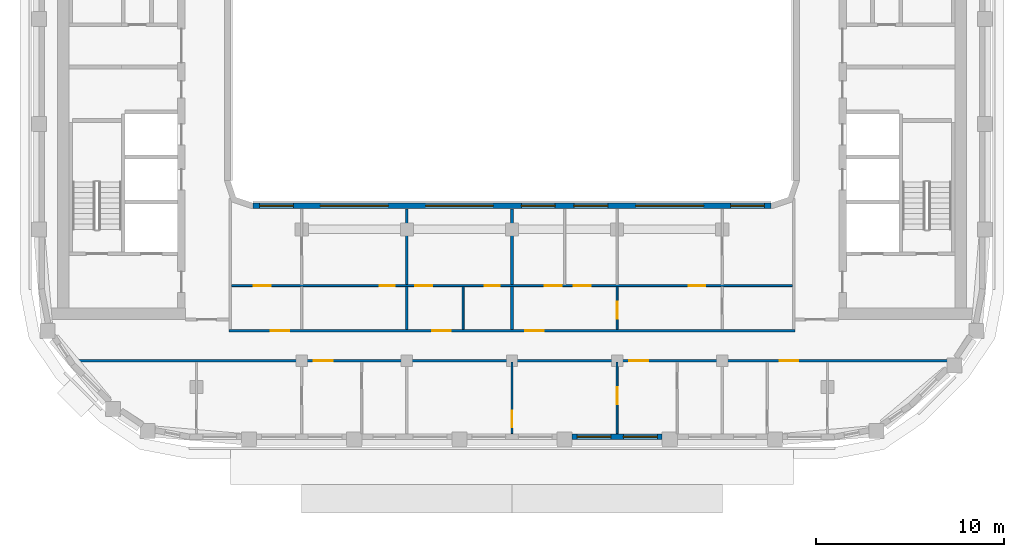
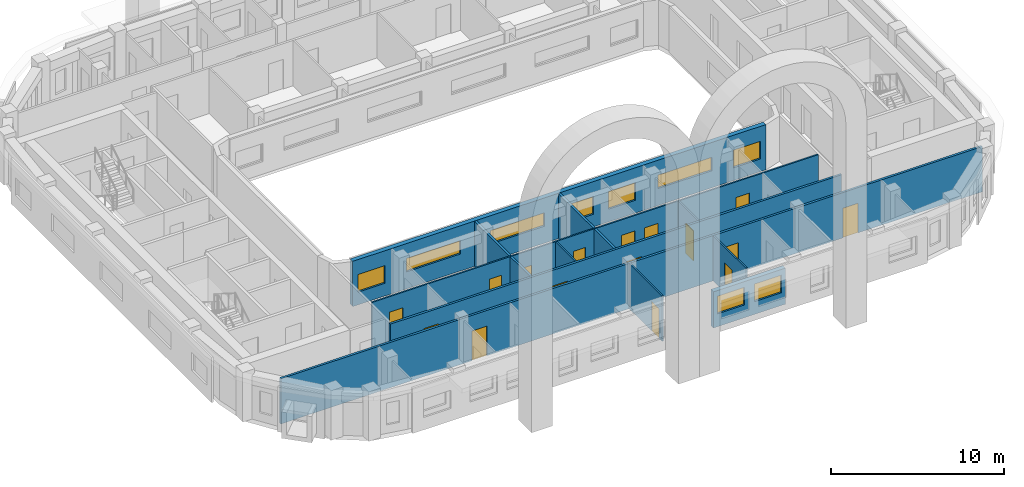
# One storey, part 3 of 18: 16 doors, 13 walls, 9 windows, 25 openings.
"""IFC4 building model written with IfcOpenShell, lengths in metres."""

from ifc_helpers import new_model, si_unit, direction, frame, frame_2d, origin, place, context, subcontext, project, spatial, rectangle, extrude, material, layer, layer_set, type_object, element, fill, save


model = new_model("IFC4")

# Units and contexts
model_context = context("Model", 3, precision=1e-05, world=origin(), true_north=direction((0.0, 1.0)))
body_context = subcontext(model_context, "Body", "Model", "MODEL_VIEW")
ifc_project = project(units=[si_unit("LENGTHUNIT", "METRE"), si_unit("AREAUNIT", "SQUARE_METRE"), si_unit("VOLUMEUNIT", "CUBIC_METRE"), si_unit("PLANEANGLEUNIT", "RADIAN"), si_unit("MASSUNIT", "GRAM", prefix="KILO")], contexts=[model_context])

# Site, building, storey
site_placement = place(None, origin())
site = spatial("IfcSite", under=ifc_project, at=site_placement, CompositionType="ELEMENT")
building_placement = place(site_placement, origin())
building = spatial("IfcBuilding", under=site, at=building_placement, Name="Kiln Ring Residences", CompositionType="ELEMENT")
storey_placement = place(building_placement, frame((0.0, 0.0, 262.699951171875)))
storey = spatial("IfcBuildingStorey", under=building, at=storey_placement, Name="L68", CompositionType="ELEMENT", Elevation=262.699951171875)

# Wall, openings, windows
ifc_material_1 = material(Name="Brick masonry, dark clay brick", Category="masonry")
ifc_layer_1 = layer(ifc_material_1, 0.300048828125)
ifc_layer_set_1 = layer_set([ifc_layer_1], Name="EW-300 BRICK WALL")
wall_type_1 = type_object("IfcWallType", Name="EW-300 BRICK WALL", PredefinedType="SOLIDWALL", material=ifc_layer_set_1)
wall_1_placement = place(storey_placement, frame((3.199951171875, -19.449951171875, 0.0), z_axis=(0.0, 0.0, 1.0), x_axis=(1.0, 0.0, 0.0)))
wall_1 = element("IfcWall", 1, at=wall_1_placement, inside=storey, type_object=wall_type_1, Name="Facade wall L68 8", PredefinedType="SOLIDWALL", context=body_context, shape_type="SweptSolid", body=[
    extrude(rectangle(XDim=4.800048828125, YDim=0.300048828125, at=frame_2d((2.39990234375, 0.0))), origin(), (0.0, 0.0, 1.0), 2.550048828125),
])
opening_1_placement = place(wall_1_placement, frame((0.262451171875, 0.0, 0.89990234375)))
opening_1 = element("IfcOpeningElement", 2, at=opening_1_placement, cuts=wall_1, Name="Opening W2", PredefinedType="OPENING", context=body_context, shape_type="SweptSolid", body=[
    extrude(rectangle(XDim=1.800048828125, YDim=1.25, at=frame_2d((0.89990234375, 0.625))), frame((0.0, 0.159912109375, 0.0), z_axis=(0.0, -1.0, 0.0), x_axis=(1.0, 0.0, 0.0)), (0.0, 0.0, 1.0), 0.320068359375),
])
opening_2_placement = place(wall_1_placement, frame((2.737548828125, 0.0, 0.89990234375)))
opening_2 = element("IfcOpeningElement", 3, at=opening_2_placement, cuts=wall_1, Name="Opening W2", PredefinedType="OPENING", context=body_context, shape_type="SweptSolid", body=[
    extrude(rectangle(XDim=1.800048828125, YDim=1.25, at=frame_2d((0.89990234375, 0.625))), frame((0.0, 0.159912109375, 0.0), z_axis=(0.0, -1.0, 0.0), x_axis=(1.0, 0.0, 0.0)), (0.0, 0.0, 1.0), 0.320068359375),
])
ifc_material_2 = material(Name="Aluminium frame with double glazing", Category="aluminium")
window_type_1 = type_object("IfcWindowType", Name="WINDOW 1800 x 1250", PartitioningType="SINGLE_PANEL", PredefinedType="WINDOW", material=ifc_material_2)
window_1_placement = place(opening_1_placement, origin())
window_1 = element("IfcWindow", 4, at=window_1_placement, inside=storey, type_object=window_type_1, Name="Window L68 10", OverallHeight=1.25, OverallWidth=1.800048828125, PartitioningType="SINGLE_PANEL", PredefinedType="WINDOW", context=body_context, shape_type="SweptSolid", body=[
    extrude(rectangle(XDim=1.800048828125, YDim=1.25, at=frame_2d((0.89990234375, 0.625))), frame((0.0, 0.030029296875, 0.0), z_axis=(0.0, -1.0, 0.0), x_axis=(1.0, 0.0, 0.0)), (0.0, 0.0, 1.0), 0.06005859375),
])
fill(opening_1, window_1)
window_2_placement = place(opening_2_placement, origin())
window_2 = element("IfcWindow", 5, at=window_2_placement, inside=storey, type_object=window_type_1, Name="Window L68 11", OverallHeight=1.25, OverallWidth=1.800048828125, PartitioningType="SINGLE_PANEL", PredefinedType="WINDOW", context=body_context, shape_type="SweptSolid", body=[
    extrude(rectangle(XDim=1.800048828125, YDim=1.25, at=frame_2d((0.89990234375, 0.625))), frame((0.0, 0.030029296875, 0.0), z_axis=(0.0, -1.0, 0.0), x_axis=(1.0, 0.0, 0.0)), (0.0, 0.0, 1.0), 0.06005859375),
])
fill(opening_2, window_2)

wall_2_placement = place(storey_placement, frame((13.800048828125, -7.14990234375, 0.0), z_axis=(0.0, 0.0, 1.0), x_axis=(-1.0, 0.0, 0.0)))
wall_2 = element("IfcWall", 6, at=wall_2_placement, inside=storey, type_object=wall_type_1, Name="Facade wall L68 48", PredefinedType="SOLIDWALL", context=body_context, shape_type="SweptSolid", body=[
    extrude(rectangle(XDim=27.60009765625, YDim=0.300048828125, at=frame_2d((13.800048828125, 0.0))), origin(), (0.0, 0.0, 1.0), 3.199951171875),
])
opening_3_placement = place(wall_2_placement, frame((0.362548828125, 0.0, 0.89990234375)))
opening_3 = element("IfcOpeningElement", 7, at=opening_3_placement, cuts=wall_2, Name="Opening W2", PredefinedType="OPENING", context=body_context, shape_type="SweptSolid", body=[
    extrude(rectangle(XDim=1.800048828125, YDim=1.25, at=frame_2d((0.89990234375, 0.625))), frame((0.0, 0.159912109375, 0.0), z_axis=(0.0, -1.0, 0.0), x_axis=(1.0, 0.0, 0.0)), (0.0, 0.0, 1.0), 0.320068359375),
])
opening_4_placement = place(wall_2_placement, frame((3.60009765625, 0.0, 1.199951171875)))
opening_4 = element("IfcOpeningElement", 8, at=opening_4_placement, cuts=wall_2, Name="Opening W4", PredefinedType="OPENING", context=body_context, shape_type="SweptSolid", body=[
    extrude(rectangle(XDim=3.60009765625, YDim=0.949951171875, at=frame_2d((1.800048828125, 0.47509765625))), frame((0.0, 0.159912109375, 0.0), z_axis=(0.0, -1.0, 0.0), x_axis=(1.0, 0.0, 0.0)), (0.0, 0.0, 1.0), 0.320068359375),
])
opening_5_placement = place(wall_2_placement, frame((8.699951171875, 0.0, 0.89990234375)))
opening_5 = element("IfcOpeningElement", 9, at=opening_5_placement, cuts=wall_2, Name="Opening W2", PredefinedType="OPENING", context=body_context, shape_type="SweptSolid", body=[
    extrude(rectangle(XDim=1.800048828125, YDim=1.25, at=frame_2d((0.89990234375, 0.625))), frame((0.0, 0.159912109375, 0.0), z_axis=(0.0, -1.0, 0.0), x_axis=(1.0, 0.0, 0.0)), (0.0, 0.0, 1.0), 0.320068359375),
])
opening_6_placement = place(wall_2_placement, frame((11.5, 0.0, 0.89990234375)))
opening_6 = element("IfcOpeningElement", 10, at=opening_6_placement, cuts=wall_2, Name="Opening W2", PredefinedType="OPENING", context=body_context, shape_type="SweptSolid", body=[
    extrude(rectangle(XDim=1.800048828125, YDim=1.25, at=frame_2d((0.89990234375, 0.625))), frame((0.0, 0.159912109375, 0.0), z_axis=(0.0, -1.0, 0.0), x_axis=(1.0, 0.0, 0.0)), (0.0, 0.0, 1.0), 0.320068359375),
])
opening_7_placement = place(wall_2_placement, frame((14.800048828125, 0.0, 1.199951171875)))
opening_7 = element("IfcOpeningElement", 11, at=opening_7_placement, cuts=wall_2, Name="Opening W4", PredefinedType="OPENING", context=body_context, shape_type="SweptSolid", body=[
    extrude(rectangle(XDim=3.60009765625, YDim=0.949951171875, at=frame_2d((1.800048828125, 0.47509765625))), frame((0.0, 0.159912109375, 0.0), z_axis=(0.0, -1.0, 0.0), x_axis=(1.0, 0.0, 0.0)), (0.0, 0.0, 1.0), 0.320068359375),
])
opening_8_placement = place(wall_2_placement, frame((20.39990234375, 0.0, 1.199951171875)))
opening_8 = element("IfcOpeningElement", 12, at=opening_8_placement, cuts=wall_2, Name="Opening W4", PredefinedType="OPENING", context=body_context, shape_type="SweptSolid", body=[
    extrude(rectangle(XDim=3.60009765625, YDim=0.949951171875, at=frame_2d((1.800048828125, 0.47509765625))), frame((0.0, 0.159912109375, 0.0), z_axis=(0.0, -1.0, 0.0), x_axis=(1.0, 0.0, 0.0)), (0.0, 0.0, 1.0), 0.320068359375),
])
opening_9_placement = place(wall_2_placement, frame((25.4375, 0.0, 0.89990234375)))
opening_9 = element("IfcOpeningElement", 13, at=opening_9_placement, cuts=wall_2, Name="Opening W2", PredefinedType="OPENING", context=body_context, shape_type="SweptSolid", body=[
    extrude(rectangle(XDim=1.800048828125, YDim=1.25, at=frame_2d((0.89990234375, 0.625))), frame((0.0, 0.159912109375, 0.0), z_axis=(0.0, -1.0, 0.0), x_axis=(1.0, 0.0, 0.0)), (0.0, 0.0, 1.0), 0.320068359375),
])
window_3_placement = place(opening_3_placement, origin())
window_3 = element("IfcWindow", 14, at=window_3_placement, inside=storey, type_object=window_type_1, Name="Window L68 43", OverallHeight=1.25, OverallWidth=1.800048828125, PartitioningType="SINGLE_PANEL", PredefinedType="WINDOW", context=body_context, shape_type="SweptSolid", body=[
    extrude(rectangle(XDim=1.800048828125, YDim=1.25, at=frame_2d((0.89990234375, 0.625))), frame((0.0, 0.030029296875, 0.0), z_axis=(0.0, -1.0, 0.0), x_axis=(1.0, 0.0, 0.0)), (0.0, 0.0, 1.0), 0.06005859375),
])
fill(opening_3, window_3)
window_4_placement = place(opening_5_placement, origin())
window_4 = element("IfcWindow", 15, at=window_4_placement, inside=storey, type_object=window_type_1, Name="Window L68 45", OverallHeight=1.25, OverallWidth=1.800048828125, PartitioningType="SINGLE_PANEL", PredefinedType="WINDOW", context=body_context, shape_type="SweptSolid", body=[
    extrude(rectangle(XDim=1.800048828125, YDim=1.25, at=frame_2d((0.89990234375, 0.625))), frame((0.0, 0.030029296875, 0.0), z_axis=(0.0, -1.0, 0.0), x_axis=(1.0, 0.0, 0.0)), (0.0, 0.0, 1.0), 0.06005859375),
])
fill(opening_5, window_4)
window_5_placement = place(opening_6_placement, origin())
window_5 = element("IfcWindow", 16, at=window_5_placement, inside=storey, type_object=window_type_1, Name="Window L68 46", OverallHeight=1.25, OverallWidth=1.800048828125, PartitioningType="SINGLE_PANEL", PredefinedType="WINDOW", context=body_context, shape_type="SweptSolid", body=[
    extrude(rectangle(XDim=1.800048828125, YDim=1.25, at=frame_2d((0.89990234375, 0.625))), frame((0.0, 0.030029296875, 0.0), z_axis=(0.0, -1.0, 0.0), x_axis=(1.0, 0.0, 0.0)), (0.0, 0.0, 1.0), 0.06005859375),
])
fill(opening_6, window_5)
window_6_placement = place(opening_9_placement, origin())
window_6 = element("IfcWindow", 17, at=window_6_placement, inside=storey, type_object=window_type_1, Name="Window L68 49", OverallHeight=1.25, OverallWidth=1.800048828125, PartitioningType="SINGLE_PANEL", PredefinedType="WINDOW", context=body_context, shape_type="SweptSolid", body=[
    extrude(rectangle(XDim=1.800048828125, YDim=1.25, at=frame_2d((0.89990234375, 0.625))), frame((0.0, 0.030029296875, 0.0), z_axis=(0.0, -1.0, 0.0), x_axis=(1.0, 0.0, 0.0)), (0.0, 0.0, 1.0), 0.06005859375),
])
fill(opening_9, window_6)
ifc_material_3 = material(Name="Aluminium frame with double glazing", Category="aluminium")
window_type_2 = type_object("IfcWindowType", Name="WINDOW 3600 x 950", PartitioningType="SINGLE_PANEL", PredefinedType="WINDOW", material=ifc_material_3)
window_7_placement = place(opening_4_placement, origin())
window_7 = element("IfcWindow", 18, at=window_7_placement, inside=storey, type_object=window_type_2, Name="Window L68 44", OverallHeight=0.949951171875, OverallWidth=3.60009765625, PartitioningType="SINGLE_PANEL", PredefinedType="WINDOW", context=body_context, shape_type="SweptSolid", body=[
    extrude(rectangle(XDim=3.60009765625, YDim=0.949951171875, at=frame_2d((1.800048828125, 0.47509765625))), frame((0.0, 0.030029296875, 0.0), z_axis=(0.0, -1.0, 0.0), x_axis=(1.0, 0.0, 0.0)), (0.0, 0.0, 1.0), 0.06005859375),
])
fill(opening_4, window_7)
window_8_placement = place(opening_7_placement, origin())
window_8 = element("IfcWindow", 19, at=window_8_placement, inside=storey, type_object=window_type_2, Name="Window L68 47", OverallHeight=0.949951171875, OverallWidth=3.60009765625, PartitioningType="SINGLE_PANEL", PredefinedType="WINDOW", context=body_context, shape_type="SweptSolid", body=[
    extrude(rectangle(XDim=3.60009765625, YDim=0.949951171875, at=frame_2d((1.800048828125, 0.47509765625))), frame((0.0, 0.030029296875, 0.0), z_axis=(0.0, -1.0, 0.0), x_axis=(1.0, 0.0, 0.0)), (0.0, 0.0, 1.0), 0.06005859375),
])
fill(opening_7, window_8)
window_9_placement = place(opening_8_placement, origin())
window_9 = element("IfcWindow", 20, at=window_9_placement, inside=storey, type_object=window_type_2, Name="Window L68 48", OverallHeight=0.949951171875, OverallWidth=3.60009765625, PartitioningType="SINGLE_PANEL", PredefinedType="WINDOW", context=body_context, shape_type="SweptSolid", body=[
    extrude(rectangle(XDim=3.60009765625, YDim=0.949951171875, at=frame_2d((1.800048828125, 0.47509765625))), frame((0.0, 0.030029296875, 0.0), z_axis=(0.0, -1.0, 0.0), x_axis=(1.0, 0.0, 0.0)), (0.0, 0.0, 1.0), 0.06005859375),
])
fill(opening_8, window_9)

# Wall, openings, doors
ifc_material_4 = material(Name="Gypsum board on steel studs", Category="steel")
ifc_layer_2 = layer(ifc_material_4, 0.10009765625)
ifc_layer_set_2 = layer_set([ifc_layer_2], Name="PARTITION-100")
wall_type_2 = type_object("IfcWallType", Name="PARTITION-100", PredefinedType="PARTITIONING", material=ifc_layer_set_2)
wall_3_placement = place(storey_placement, frame((-14.925048828125, -11.39990234375, 0.0), z_axis=(0.0, 0.0, 1.0), x_axis=(1.0, 0.0, 0.0)))
wall_3 = element("IfcWall", 21, at=wall_3_placement, inside=storey, type_object=wall_type_2, Name="Partition 004", PredefinedType="PARTITIONING", context=body_context, shape_type="SweptSolid", body=[
    extrude(rectangle(XDim=29.85009765625, YDim=0.10009765625, at=frame_2d((14.925048828125, 0.0))), origin(), (0.0, 0.0, 1.0), 3.199951171875),
])
opening_10_placement = place(wall_3_placement, frame((7.875, 0.0, 0.0)))
opening_10 = element("IfcOpeningElement", 22, at=opening_10_placement, cuts=wall_3, Name="Opening L68-D024", PredefinedType="OPENING", context=body_context, shape_type="SweptSolid", body=[
    extrude(rectangle(XDim=0.800048828125, YDim=2.10009765625, at=frame_2d((0.39990234375, 1.050048828125))), frame((0.0, 0.06005859375, 0.0), z_axis=(0.0, -1.0, 0.0), x_axis=(1.0, 0.0, 0.0)), (0.0, 0.0, 1.0), 0.1201171875),
])
opening_11_placement = place(wall_3_placement, frame((1.175048828125, 0.0, 0.0)))
opening_11 = element("IfcOpeningElement", 23, at=opening_11_placement, cuts=wall_3, Name="Opening L68-D025", PredefinedType="OPENING", context=body_context, shape_type="SweptSolid", body=[
    extrude(rectangle(XDim=0.89990234375, YDim=2.10009765625, at=frame_2d((0.449951171875, 1.050048828125))), frame((0.0, 0.06005859375, 0.0), z_axis=(0.0, -1.0, 0.0), x_axis=(1.0, 0.0, 0.0)), (0.0, 0.0, 1.0), 0.1201171875),
])
opening_12_placement = place(wall_3_placement, frame((13.47509765625, 0.0, 0.0)))
opening_12 = element("IfcOpeningElement", 24, at=opening_12_placement, cuts=wall_3, Name="Opening L68-D028", PredefinedType="OPENING", context=body_context, shape_type="SweptSolid", body=[
    extrude(rectangle(XDim=0.800048828125, YDim=2.10009765625, at=frame_2d((0.39990234375, 1.050048828125))), frame((0.0, 0.06005859375, 0.0), z_axis=(0.0, -1.0, 0.0), x_axis=(1.0, 0.0, 0.0)), (0.0, 0.0, 1.0), 0.1201171875),
])
opening_13_placement = place(wall_3_placement, frame((9.77490234375, 0.0, 0.0)))
opening_13 = element("IfcOpeningElement", 25, at=opening_13_placement, cuts=wall_3, Name="Opening L68-D029", PredefinedType="OPENING", context=body_context, shape_type="SweptSolid", body=[
    extrude(rectangle(XDim=0.89990234375, YDim=2.10009765625, at=frame_2d((0.449951171875, 1.050048828125))), frame((0.0, 0.06005859375, 0.0), z_axis=(0.0, -1.0, 0.0), x_axis=(1.0, 0.0, 0.0)), (0.0, 0.0, 1.0), 0.1201171875),
])
opening_14_placement = place(wall_3_placement, frame((16.675048828125, 0.0, 0.0)))
opening_14 = element("IfcOpeningElement", 26, at=opening_14_placement, cuts=wall_3, Name="Opening L68-D033", PredefinedType="OPENING", context=body_context, shape_type="SweptSolid", body=[
    extrude(rectangle(XDim=0.89990234375, YDim=2.10009765625, at=frame_2d((0.449951171875, 1.050048828125))), frame((0.0, 0.06005859375, 0.0), z_axis=(0.0, -1.0, 0.0), x_axis=(1.0, 0.0, 0.0)), (0.0, 0.0, 1.0), 0.1201171875),
])
opening_15_placement = place(wall_3_placement, frame((18.22509765625, 0.0, 0.0)))
opening_15 = element("IfcOpeningElement", 27, at=opening_15_placement, cuts=wall_3, Name="Opening L68-D034", PredefinedType="OPENING", context=body_context, shape_type="SweptSolid", body=[
    extrude(rectangle(XDim=0.89990234375, YDim=2.10009765625, at=frame_2d((0.449951171875, 1.050048828125))), frame((0.0, 0.06005859375, 0.0), z_axis=(0.0, -1.0, 0.0), x_axis=(1.0, 0.0, 0.0)), (0.0, 0.0, 1.0), 0.1201171875),
])
opening_16_placement = place(wall_3_placement, frame((24.324951171875, 0.0, 0.0)))
opening_16 = element("IfcOpeningElement", 28, at=opening_16_placement, cuts=wall_3, Name="Opening L68-D035", PredefinedType="OPENING", context=body_context, shape_type="SweptSolid", body=[
    extrude(rectangle(XDim=0.89990234375, YDim=2.10009765625, at=frame_2d((0.449951171875, 1.050048828125))), frame((0.0, 0.06005859375, 0.0), z_axis=(0.0, -1.0, 0.0), x_axis=(1.0, 0.0, 0.0)), (0.0, 0.0, 1.0), 0.1201171875),
])
ifc_material_5 = material(Name="Timber door leaf", Category="wood")
door_type_1 = type_object("IfcDoorType", Name="FLAT-DOOR-800-PL", OperationType="SINGLE_SWING_LEFT", PredefinedType="DOOR", material=ifc_material_5)
door_1_placement = place(opening_10_placement, origin())
door_1 = element("IfcDoor", 29, at=door_1_placement, inside=storey, type_object=door_type_1, Name="Door L68-D024", OperationType="SINGLE_SWING_RIGHT", OverallHeight=2.10009765625, OverallWidth=0.800048828125, PredefinedType="DOOR", context=body_context, shape_type="SweptSolid", body=[
    extrude(rectangle(XDim=0.800048828125, YDim=2.10009765625, at=frame_2d((0.39990234375, 1.050048828125))), frame((0.0, 0.02490234375, 0.0), z_axis=(0.0, -1.0, 0.0), x_axis=(1.0, 0.0, 0.0)), (0.0, 0.0, 1.0), 0.050048828125),
])
fill(opening_10, door_1)
door_2_placement = place(opening_12_placement, origin())
door_2 = element("IfcDoor", 30, at=door_2_placement, inside=storey, type_object=door_type_1, Name="Door L68-D028", OperationType="SINGLE_SWING_RIGHT", OverallHeight=2.10009765625, OverallWidth=0.800048828125, PredefinedType="DOOR", context=body_context, shape_type="SweptSolid", body=[
    extrude(rectangle(XDim=0.800048828125, YDim=2.10009765625, at=frame_2d((0.39990234375, 1.050048828125))), frame((0.0, 0.02490234375, 0.0), z_axis=(0.0, -1.0, 0.0), x_axis=(1.0, 0.0, 0.0)), (0.0, 0.0, 1.0), 0.050048828125),
])
fill(opening_12, door_2)
ifc_material_6 = material(Name="Timber door leaf", Category="wood")
door_type_2 = type_object("IfcDoorType", Name="FLAT-DOOR-900-PL", OperationType="SINGLE_SWING_LEFT", PredefinedType="DOOR", material=ifc_material_6)
door_3_placement = place(opening_11_placement, origin())
door_3 = element("IfcDoor", 31, at=door_3_placement, inside=storey, type_object=door_type_2, Name="Door L68-D025", OperationType="SINGLE_SWING_RIGHT", OverallHeight=2.10009765625, OverallWidth=0.89990234375, PredefinedType="DOOR", context=body_context, shape_type="SweptSolid", body=[
    extrude(rectangle(XDim=0.89990234375, YDim=2.10009765625, at=frame_2d((0.449951171875, 1.050048828125))), frame((0.0, 0.02490234375, 0.0), z_axis=(0.0, -1.0, 0.0), x_axis=(1.0, 0.0, 0.0)), (0.0, 0.0, 1.0), 0.050048828125),
])
fill(opening_11, door_3)
door_4_placement = place(opening_13_placement, origin())
door_4 = element("IfcDoor", 32, at=door_4_placement, inside=storey, type_object=door_type_2, Name="Door L68-D029", OperationType="SINGLE_SWING_RIGHT", OverallHeight=2.10009765625, OverallWidth=0.89990234375, PredefinedType="DOOR", context=body_context, shape_type="SweptSolid", body=[
    extrude(rectangle(XDim=0.89990234375, YDim=2.10009765625, at=frame_2d((0.449951171875, 1.050048828125))), frame((0.0, 0.02490234375, 0.0), z_axis=(0.0, -1.0, 0.0), x_axis=(1.0, 0.0, 0.0)), (0.0, 0.0, 1.0), 0.050048828125),
])
fill(opening_13, door_4)
door_5_placement = place(opening_14_placement, origin())
door_5 = element("IfcDoor", 33, at=door_5_placement, inside=storey, type_object=door_type_2, Name="Door L68-D033", OperationType="SINGLE_SWING_LEFT", OverallHeight=2.10009765625, OverallWidth=0.89990234375, PredefinedType="DOOR", context=body_context, shape_type="SweptSolid", body=[
    extrude(rectangle(XDim=0.89990234375, YDim=2.10009765625, at=frame_2d((0.449951171875, 1.050048828125))), frame((0.0, 0.02490234375, 0.0), z_axis=(0.0, -1.0, 0.0), x_axis=(1.0, 0.0, 0.0)), (0.0, 0.0, 1.0), 0.050048828125),
])
fill(opening_14, door_5)
door_6_placement = place(opening_15_placement, origin())
door_6 = element("IfcDoor", 34, at=door_6_placement, inside=storey, type_object=door_type_2, Name="Door L68-D034", OperationType="SINGLE_SWING_RIGHT", OverallHeight=2.10009765625, OverallWidth=0.89990234375, PredefinedType="DOOR", context=body_context, shape_type="SweptSolid", body=[
    extrude(rectangle(XDim=0.89990234375, YDim=2.10009765625, at=frame_2d((0.449951171875, 1.050048828125))), frame((0.0, 0.02490234375, 0.0), z_axis=(0.0, -1.0, 0.0), x_axis=(1.0, 0.0, 0.0)), (0.0, 0.0, 1.0), 0.050048828125),
])
fill(opening_15, door_6)
door_7_placement = place(opening_16_placement, origin())
door_7 = element("IfcDoor", 35, at=door_7_placement, inside=storey, type_object=door_type_2, Name="Door L68-D035", OperationType="SINGLE_SWING_LEFT", OverallHeight=2.10009765625, OverallWidth=0.89990234375, PredefinedType="DOOR", context=body_context, shape_type="SweptSolid", body=[
    extrude(rectangle(XDim=0.89990234375, YDim=2.10009765625, at=frame_2d((0.449951171875, 1.050048828125))), frame((0.0, 0.02490234375, 0.0), z_axis=(0.0, -1.0, 0.0), x_axis=(1.0, 0.0, 0.0)), (0.0, 0.0, 1.0), 0.050048828125),
])
fill(opening_16, door_7)

# Wall
wall_4_placement = place(storey_placement, frame((-2.60009765625, -13.72509765625, 0.0), z_axis=(0.0, 0.0, 1.0), x_axis=(0.0, 1.0, 0.0)))
element("IfcWall", 36, at=wall_4_placement, inside=storey, type_object=wall_type_2, Name="Partition 026", PredefinedType="PARTITIONING", context=body_context, shape_type="SweptSolid", body=[
    extrude(rectangle(XDim=2.275146484375, YDim=0.10009765625, at=frame_2d((1.1376953125, 0.0))), origin(), (0.0, 0.0, 1.0), 3.199951171875),
])

# Wall, opening, door
wall_5_placement = place(storey_placement, frame((0.0, -19.280029296875, 0.0), z_axis=(0.0, 0.0, 1.0), x_axis=(0.0, 1.0, 0.0)))
wall_5 = element("IfcWall", 37, at=wall_5_placement, inside=storey, type_object=wall_type_2, Name="Partition 027", PredefinedType="PARTITIONING", context=body_context, shape_type="SweptSolid", body=[
    extrude(rectangle(XDim=3.804931640625, YDim=0.10009765625, at=frame_2d((1.90234375, 0.0))), origin(), (0.0, 0.0, 1.0), 3.199951171875),
])
opening_17_placement = place(wall_5_placement, frame((0.3291015625, 0.0, 0.0)))
opening_17 = element("IfcOpeningElement", 38, at=opening_17_placement, cuts=wall_5, Name="Opening L68-D044", PredefinedType="OPENING", context=body_context, shape_type="SweptSolid", body=[
    extrude(rectangle(XDim=0.89990234375, YDim=2.10009765625, at=frame_2d((0.449951171875, 1.050048828125))), frame((0.0, 0.06005859375, 0.0), z_axis=(0.0, -1.0, 0.0), x_axis=(1.0, 0.0, 0.0)), (0.0, 0.0, 1.0), 0.1201171875),
])
door_8_placement = place(opening_17_placement, origin())
door_8 = element("IfcDoor", 39, at=door_8_placement, inside=storey, type_object=door_type_2, Name="Door L68-D044", OperationType="SINGLE_SWING_RIGHT", OverallHeight=2.10009765625, OverallWidth=0.89990234375, PredefinedType="DOOR", context=body_context, shape_type="SweptSolid", body=[
    extrude(rectangle(XDim=0.89990234375, YDim=2.10009765625, at=frame_2d((0.449951171875, 1.050048828125))), frame((0.0, 0.02490234375, 0.0), z_axis=(0.0, -1.0, 0.0), x_axis=(1.0, 0.0, 0.0)), (0.0, 0.0, 1.0), 0.050048828125),
])
fill(opening_17, door_8)

wall_6_placement = place(storey_placement, frame((5.60009765625, -19.280029296875, 0.0), z_axis=(0.0, 0.0, 1.0), x_axis=(0.0, 1.0, 0.0)))
wall_6 = element("IfcWall", 40, at=wall_6_placement, inside=storey, type_object=wall_type_2, Name="Partition 034", PredefinedType="PARTITIONING", context=body_context, shape_type="SweptSolid", body=[
    extrude(rectangle(XDim=3.804931640625, YDim=0.10009765625, at=frame_2d((1.90234375, 0.0))), origin(), (0.0, 0.0, 1.0), 3.199951171875),
])
opening_18_placement = place(wall_6_placement, frame((1.5791015625, 0.0, 0.0)))
opening_18 = element("IfcOpeningElement", 41, at=opening_18_placement, cuts=wall_6, Name="Opening L68-D043", PredefinedType="OPENING", context=body_context, shape_type="SweptSolid", body=[
    extrude(rectangle(XDim=0.89990234375, YDim=2.10009765625, at=frame_2d((0.449951171875, 1.050048828125))), frame((0.0, 0.06005859375, 0.0), z_axis=(0.0, -1.0, 0.0), x_axis=(1.0, 0.0, 0.0)), (0.0, 0.0, 1.0), 0.1201171875),
])
door_9_placement = place(opening_18_placement, origin())
door_9 = element("IfcDoor", 42, at=door_9_placement, inside=storey, type_object=door_type_2, Name="Door L68-D043", OperationType="SINGLE_SWING_LEFT", OverallHeight=2.10009765625, OverallWidth=0.89990234375, PredefinedType="DOOR", context=body_context, shape_type="SweptSolid", body=[
    extrude(rectangle(XDim=0.89990234375, YDim=2.10009765625, at=frame_2d((0.449951171875, 1.050048828125))), frame((0.0, 0.02490234375, 0.0), z_axis=(0.0, -1.0, 0.0), x_axis=(1.0, 0.0, 0.0)), (0.0, 0.0, 1.0), 0.050048828125),
])
fill(opening_18, door_9)

wall_7_placement = place(storey_placement, frame((5.60009765625, -13.72509765625, 0.0), z_axis=(0.0, 0.0, 1.0), x_axis=(0.0, 1.0, 0.0)))
wall_7 = element("IfcWall", 43, at=wall_7_placement, inside=storey, type_object=wall_type_2, Name="Partition 035", PredefinedType="PARTITIONING", context=body_context, shape_type="SweptSolid", body=[
    extrude(rectangle(XDim=2.275146484375, YDim=0.10009765625, at=frame_2d((1.1376953125, 0.0))), origin(), (0.0, 0.0, 1.0), 3.199951171875),
])
opening_19_placement = place(wall_7_placement, frame((0.575927734375, 0.0, 0.0)))
opening_19 = element("IfcOpeningElement", 44, at=opening_19_placement, cuts=wall_7, Name="Opening L68-D031", PredefinedType="OPENING", context=body_context, shape_type="SweptSolid", body=[
    extrude(rectangle(XDim=0.89990234375, YDim=2.10009765625, at=frame_2d((0.449951171875, 1.050048828125))), frame((0.0, 0.06005859375, 0.0), z_axis=(0.0, -1.0, 0.0), x_axis=(1.0, 0.0, 0.0)), (0.0, 0.0, 1.0), 0.1201171875),
])
door_10_placement = place(opening_19_placement, origin())
door_10 = element("IfcDoor", 45, at=door_10_placement, inside=storey, type_object=door_type_2, Name="Door L68-D031", OperationType="SINGLE_SWING_LEFT", OverallHeight=2.10009765625, OverallWidth=0.89990234375, PredefinedType="DOOR", context=body_context, shape_type="SweptSolid", body=[
    extrude(rectangle(XDim=0.89990234375, YDim=2.10009765625, at=frame_2d((0.449951171875, 1.050048828125))), frame((0.0, 0.02490234375, 0.0), z_axis=(0.0, -1.0, 0.0), x_axis=(1.0, 0.0, 0.0)), (0.0, 0.0, 1.0), 0.050048828125),
])
fill(opening_19, door_10)

# Wall, openings, doors
ifc_material_7 = material(Name="Brick masonry partition", Category="masonry")
ifc_layer_3 = layer(ifc_material_7, 0.14990234375)
ifc_layer_set_3 = layer_set([ifc_layer_3], Name="PARTITION-150-ei60")
wall_type_3 = type_object("IfcWallType", Name="PARTITION-150-ei60", PredefinedType="PARTITIONING", material=ifc_layer_set_3)
wall_8_placement = place(storey_placement, frame((-23.322021484375, -15.39990234375, 0.0), z_axis=(0.0, 0.0, 1.0), x_axis=(1.0, 0.0, 0.0)))
wall_8 = element("IfcWall", 46, at=wall_8_placement, inside=storey, type_object=wall_type_3, Name="Partition 000", PredefinedType="PARTITIONING", context=body_context, shape_type="SweptSolid", body=[
    extrude(rectangle(XDim=46.8720703125, YDim=0.14990234375, at=frame_2d((23.43603515625, 0.0))), origin(), (0.0, 0.0, 1.0), 3.199951171875),
])
opening_20_placement = place(wall_8_placement, frame((12.772216796875, 0.0, 0.0)))
opening_20 = element("IfcOpeningElement", 47, at=opening_20_placement, cuts=wall_8, Name="Opening L68-D037", PredefinedType="OPENING", context=body_context, shape_type="SweptSolid", body=[
    extrude(rectangle(XDim=1.0, YDim=2.10009765625, at=frame_2d((0.5, 1.050048828125))), frame((0.0, 0.0849609375, 0.0), z_axis=(0.0, -1.0, 0.0), x_axis=(1.0, 0.0, 0.0)), (0.0, 0.0, 1.0), 0.169921875),
])
opening_21_placement = place(wall_8_placement, frame((29.572021484375, 0.0, 0.0)))
opening_21 = element("IfcOpeningElement", 48, at=opening_21_placement, cuts=wall_8, Name="Opening L68-D041", PredefinedType="OPENING", context=body_context, shape_type="SweptSolid", body=[
    extrude(rectangle(XDim=1.0, YDim=2.10009765625, at=frame_2d((0.5, 1.050048828125))), frame((0.0, 0.0849609375, 0.0), z_axis=(0.0, -1.0, 0.0), x_axis=(1.0, 0.0, 0.0)), (0.0, 0.0, 1.0), 0.169921875),
])
opening_22_placement = place(wall_8_placement, frame((37.572021484375, 0.0, 0.0)))
opening_22 = element("IfcOpeningElement", 49, at=opening_22_placement, cuts=wall_8, Name="Opening L68-D045", PredefinedType="OPENING", context=body_context, shape_type="SweptSolid", body=[
    extrude(rectangle(XDim=1.0, YDim=2.10009765625, at=frame_2d((0.5, 1.050048828125))), frame((0.0, 0.0849609375, 0.0), z_axis=(0.0, -1.0, 0.0), x_axis=(1.0, 0.0, 0.0)), (0.0, 0.0, 1.0), 0.169921875),
])
ifc_material_8 = material(Name="Steel faced fire door leaf", Category="steel")
door_type_3 = type_object("IfcDoorType", Name="FLAT-DOOR-1000-FR", OperationType="SINGLE_SWING_LEFT", PredefinedType="DOOR", material=ifc_material_8)
door_11_placement = place(opening_20_placement, origin())
door_11 = element("IfcDoor", 50, at=door_11_placement, inside=storey, type_object=door_type_3, Name="Door L68-D037", OperationType="SINGLE_SWING_LEFT", OverallHeight=2.10009765625, OverallWidth=1.0, PredefinedType="DOOR", context=body_context, shape_type="SweptSolid", body=[
    extrude(rectangle(XDim=1.0, YDim=2.10009765625, at=frame_2d((0.5, 1.050048828125))), frame((0.0, 0.02490234375, 0.0), z_axis=(0.0, -1.0, 0.0), x_axis=(1.0, 0.0, 0.0)), (0.0, 0.0, 1.0), 0.050048828125),
])
fill(opening_20, door_11)
door_12_placement = place(opening_21_placement, origin())
door_12 = element("IfcDoor", 51, at=door_12_placement, inside=storey, type_object=door_type_3, Name="Door L68-D041", OperationType="SINGLE_SWING_LEFT", OverallHeight=2.10009765625, OverallWidth=1.0, PredefinedType="DOOR", context=body_context, shape_type="SweptSolid", body=[
    extrude(rectangle(XDim=1.0, YDim=2.10009765625, at=frame_2d((0.5, 1.050048828125))), frame((0.0, 0.02490234375, 0.0), z_axis=(0.0, -1.0, 0.0), x_axis=(1.0, 0.0, 0.0)), (0.0, 0.0, 1.0), 0.050048828125),
])
fill(opening_21, door_12)
door_13_placement = place(opening_22_placement, origin())
door_13 = element("IfcDoor", 52, at=door_13_placement, inside=storey, type_object=door_type_3, Name="Door L68-D045", OperationType="SINGLE_SWING_LEFT", OverallHeight=2.10009765625, OverallWidth=1.0, PredefinedType="DOOR", context=body_context, shape_type="SweptSolid", body=[
    extrude(rectangle(XDim=1.0, YDim=2.10009765625, at=frame_2d((0.5, 1.050048828125))), frame((0.0, 0.02490234375, 0.0), z_axis=(0.0, -1.0, 0.0), x_axis=(1.0, 0.0, 0.0)), (0.0, 0.0, 1.0), 0.050048828125),
])
fill(opening_22, door_13)

wall_9_placement = place(storey_placement, frame((-15.074951171875, -13.800048828125, 0.0), z_axis=(0.0, 0.0, 1.0), x_axis=(1.0, 0.0, 0.0)))
wall_9 = element("IfcWall", 53, at=wall_9_placement, inside=storey, type_object=wall_type_3, Name="Partition 001", PredefinedType="PARTITIONING", context=body_context, shape_type="SweptSolid", body=[
    extrude(rectangle(XDim=30.14990234375, YDim=0.14990234375, at=frame_2d((15.074951171875, 0.0))), origin(), (0.0, 0.0, 1.0), 3.199951171875),
])
opening_23_placement = place(wall_9_placement, frame((2.22509765625, 0.0, 0.0)))
opening_23 = element("IfcOpeningElement", 54, at=opening_23_placement, cuts=wall_9, Name="Opening L68-D023", PredefinedType="OPENING", context=body_context, shape_type="SweptSolid", body=[
    extrude(rectangle(XDim=1.0, YDim=2.10009765625, at=frame_2d((0.5, 1.050048828125))), frame((0.0, 0.0849609375, 0.0), z_axis=(0.0, -1.0, 0.0), x_axis=(1.0, 0.0, 0.0)), (0.0, 0.0, 1.0), 0.169921875),
])
opening_24_placement = place(wall_9_placement, frame((10.824951171875, 0.0, 0.0)))
opening_24 = element("IfcOpeningElement", 55, at=opening_24_placement, cuts=wall_9, Name="Opening L68-D027", PredefinedType="OPENING", context=body_context, shape_type="SweptSolid", body=[
    extrude(rectangle(XDim=1.0, YDim=2.10009765625, at=frame_2d((0.5, 1.050048828125))), frame((0.0, 0.0849609375, 0.0), z_axis=(0.0, -1.0, 0.0), x_axis=(1.0, 0.0, 0.0)), (0.0, 0.0, 1.0), 0.169921875),
])
opening_25_placement = place(wall_9_placement, frame((15.77490234375, 0.0, 0.0)))
opening_25 = element("IfcOpeningElement", 56, at=opening_25_placement, cuts=wall_9, Name="Opening L68-D030", PredefinedType="OPENING", context=body_context, shape_type="SweptSolid", body=[
    extrude(rectangle(XDim=1.0, YDim=2.10009765625, at=frame_2d((0.5, 1.050048828125))), frame((0.0, 0.0849609375, 0.0), z_axis=(0.0, -1.0, 0.0), x_axis=(1.0, 0.0, 0.0)), (0.0, 0.0, 1.0), 0.169921875),
])
door_14_placement = place(opening_23_placement, origin())
door_14 = element("IfcDoor", 57, at=door_14_placement, inside=storey, type_object=door_type_3, Name="Door L68-D023", OperationType="SINGLE_SWING_LEFT", OverallHeight=2.10009765625, OverallWidth=1.0, PredefinedType="DOOR", context=body_context, shape_type="SweptSolid", body=[
    extrude(rectangle(XDim=1.0, YDim=2.10009765625, at=frame_2d((0.5, 1.050048828125))), frame((0.0, 0.02490234375, 0.0), z_axis=(0.0, -1.0, 0.0), x_axis=(1.0, 0.0, 0.0)), (0.0, 0.0, 1.0), 0.050048828125),
])
fill(opening_23, door_14)
door_15_placement = place(opening_24_placement, origin())
door_15 = element("IfcDoor", 58, at=door_15_placement, inside=storey, type_object=door_type_3, Name="Door L68-D027", OperationType="SINGLE_SWING_LEFT", OverallHeight=2.10009765625, OverallWidth=1.0, PredefinedType="DOOR", context=body_context, shape_type="SweptSolid", body=[
    extrude(rectangle(XDim=1.0, YDim=2.10009765625, at=frame_2d((0.5, 1.050048828125))), frame((0.0, 0.02490234375, 0.0), z_axis=(0.0, -1.0, 0.0), x_axis=(1.0, 0.0, 0.0)), (0.0, 0.0, 1.0), 0.050048828125),
])
fill(opening_24, door_15)
door_16_placement = place(opening_25_placement, origin())
door_16 = element("IfcDoor", 59, at=door_16_placement, inside=storey, type_object=door_type_3, Name="Door L68-D030", OperationType="SINGLE_SWING_RIGHT", OverallHeight=2.10009765625, OverallWidth=1.0, PredefinedType="DOOR", context=body_context, shape_type="SweptSolid", body=[
    extrude(rectangle(XDim=1.0, YDim=2.10009765625, at=frame_2d((0.5, 1.050048828125))), frame((0.0, 0.02490234375, 0.0), z_axis=(0.0, -1.0, 0.0), x_axis=(1.0, 0.0, 0.0)), (0.0, 0.0, 1.0), 0.050048828125),
])
fill(opening_25, door_16)

# Walls
wall_10_placement = place(storey_placement, frame((-5.60009765625, -13.72509765625, 0.0), z_axis=(0.0, 0.0, 1.0), x_axis=(0.0, 1.0, 0.0)))
element("IfcWall", 60, at=wall_10_placement, inside=storey, type_object=wall_type_3, Name="Partition 024", PredefinedType="PARTITIONING", context=body_context, shape_type="SweptSolid", body=[
    extrude(rectangle(XDim=2.275146484375, YDim=0.14990234375, at=frame_2d((1.1376953125, 0.0))), origin(), (0.0, 0.0, 1.0), 3.199951171875),
])
wall_11_placement = place(storey_placement, frame((-5.60009765625, -11.35009765625, 0.0), z_axis=(0.0, 0.0, 1.0), x_axis=(0.0, 1.0, 0.0)))
element("IfcWall", 61, at=wall_11_placement, inside=storey, type_object=wall_type_3, Name="Partition 025", PredefinedType="PARTITIONING", context=body_context, shape_type="SweptSolid", body=[
    extrude(rectangle(XDim=4.030029296875, YDim=0.14990234375, at=frame_2d((2.01513671875, 0.0))), origin(), (0.0, 0.0, 1.0), 3.199951171875),
])
wall_12_placement = place(storey_placement, frame((0.0, -13.72509765625, 0.0), z_axis=(0.0, 0.0, 1.0), x_axis=(0.0, 1.0, 0.0)))
element("IfcWall", 62, at=wall_12_placement, inside=storey, type_object=wall_type_3, Name="Partition 029", PredefinedType="PARTITIONING", context=body_context, shape_type="SweptSolid", body=[
    extrude(rectangle(XDim=2.275146484375, YDim=0.14990234375, at=frame_2d((1.1376953125, 0.0))), origin(), (0.0, 0.0, 1.0), 3.199951171875),
])
wall_13_placement = place(storey_placement, frame((0.0, -11.35009765625, 0.0), z_axis=(0.0, 0.0, 1.0), x_axis=(0.0, 1.0, 0.0)))
element("IfcWall", 63, at=wall_13_placement, inside=storey, type_object=wall_type_3, Name="Partition 030", PredefinedType="PARTITIONING", context=body_context, shape_type="SweptSolid", body=[
    extrude(rectangle(XDim=4.030029296875, YDim=0.14990234375, at=frame_2d((2.01513671875, 0.0))), origin(), (0.0, 0.0, 1.0), 3.199951171875),
])

save(model, "model.ifc")
